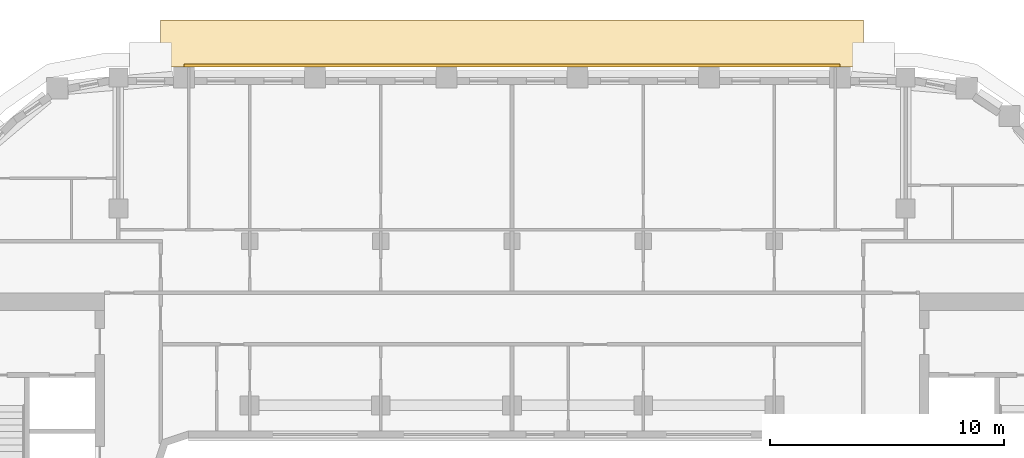
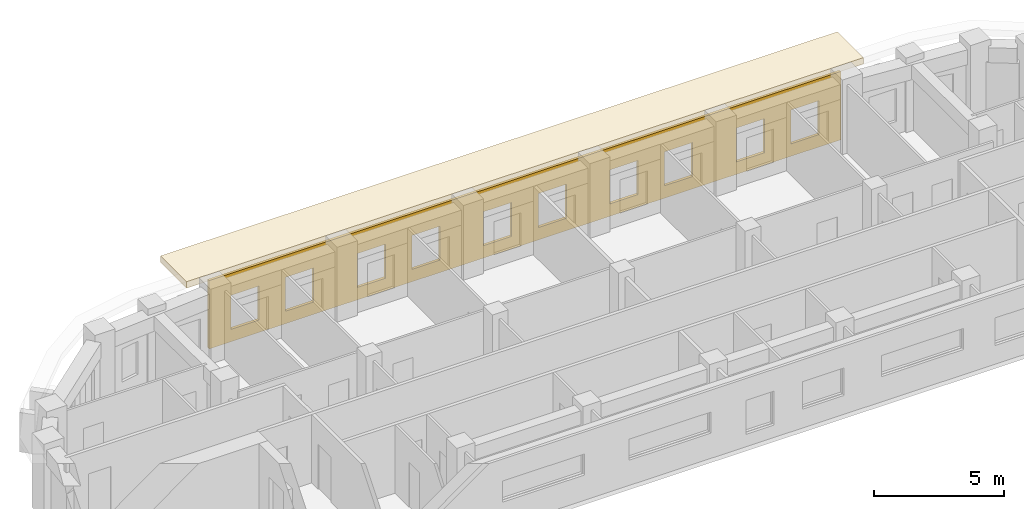
# One storey, part 20 of 21: 2 coverings.
"""IFC4 building model written with IfcOpenShell, lengths in metres."""

from ifc_helpers import new_model, si_unit, direction, frame, origin, place, context, subcontext, project, spatial, polyline, outline, extrude, material, layer, layer_set, type_object, element, save


model = new_model("IFC4")

# Units and contexts
model_context = context("Model", 3, precision=1e-05, world=origin(), true_north=direction((0.0, 1.0)))
body_context = subcontext(model_context, "Body", "Model", "MODEL_VIEW")
ifc_project = project(units=[si_unit("LENGTHUNIT", "METRE"), si_unit("AREAUNIT", "SQUARE_METRE"), si_unit("VOLUMEUNIT", "CUBIC_METRE"), si_unit("PLANEANGLEUNIT", "RADIAN"), si_unit("MASSUNIT", "GRAM", prefix="KILO")], contexts=[model_context])

# Site, building, storey
site_placement = place(None, origin())
site = spatial("IfcSite", under=ifc_project, at=site_placement, CompositionType="ELEMENT")
building_placement = place(site_placement, origin())
building = spatial("IfcBuilding", under=site, at=building_placement, Name="Kiln Ring Residences", CompositionType="ELEMENT")
storey_placement = place(building_placement, frame((0.0, 0.0, 199.39990234375)))
storey = spatial("IfcBuildingStorey", under=building, at=storey_placement, Name="L51", CompositionType="ELEMENT", Elevation=199.39990234375)

# Coverings
ifc_material_1 = material(Name="Brick masonry, dark clay brick", Category="masonry")
ifc_layer_1 = layer(ifc_material_1, 0.1201171875)
ifc_layer_set_1 = layer_set([ifc_layer_1], Name="RAINSCREEN PANEL 120")
covering_type_1 = type_object("IfcCoveringType", Name="RAINSCREEN PANEL 120", PredefinedType="CLADDING", material=ifc_layer_set_1)
covering_1_placement = place(storey_placement, frame((14.0, 22.909912109375, 0.0), z_axis=(0.0, 0.0, 1.0), x_axis=(-1.0, 0.0, 0.0)))
element("IfcCovering", 1, at=covering_1_placement, inside=storey, type_object=covering_type_1, Name="RAINSCREEN L51", PredefinedType="CLADDING", context=body_context, shape_type="SweptSolid", body=[
    extrude(outline(polyline([(0.0, 0.0), (28.0, 0.0), (28.0, 3.2001953125), (0.0, 3.2001953125), (0.0, 0.0)]), holes=[polyline([(0.967529296875, 0.580078125), (2.20751953125, 0.580078125), (2.20751953125, 2.170166015625), (0.967529296875, 2.170166015625), (0.967529296875, 0.580078125)]), polyline([(3.392578125, 0.580078125), (4.632568359375, 0.580078125), (4.632568359375, 2.170166015625), (3.392578125, 2.170166015625), (3.392578125, 0.580078125)]), polyline([(6.5673828125, 0.580078125), (7.8076171875, 0.580078125), (7.8076171875, 2.170166015625), (6.5673828125, 2.170166015625), (6.5673828125, 0.580078125)]), polyline([(8.992431640625, 2.170166015625), (8.992431640625, 0.580078125), (10.232421875, 0.580078125), (10.232421875, 2.170166015625), (8.992431640625, 2.170166015625)]), polyline([(12.16748046875, 2.170166015625), (12.16748046875, 0.580078125), (13.407470703125, 0.580078125), (13.407470703125, 2.170166015625), (12.16748046875, 2.170166015625)]), polyline([(14.592529296875, 0.580078125), (15.83251953125, 0.580078125), (15.83251953125, 2.170166015625), (14.592529296875, 2.170166015625), (14.592529296875, 0.580078125)]), polyline([(17.767578125, 0.580078125), (19.007568359375, 0.580078125), (19.007568359375, 2.170166015625), (17.767578125, 2.170166015625), (17.767578125, 0.580078125)]), polyline([(20.1923828125, 0.580078125), (21.4326171875, 0.580078125), (21.4326171875, 2.170166015625), (20.1923828125, 2.170166015625), (20.1923828125, 0.580078125)]), polyline([(23.367431640625, 2.170166015625), (23.367431640625, 0.580078125), (24.607421875, 0.580078125), (24.607421875, 2.170166015625), (23.367431640625, 2.170166015625)]), polyline([(25.79248046875, 2.170166015625), (25.79248046875, 0.580078125), (27.032470703125, 0.580078125), (27.032470703125, 2.170166015625), (25.79248046875, 2.170166015625)])]), frame((0.0, 0.06005859375, 0.0), z_axis=(0.0, -1.0, 0.0), x_axis=(1.0, 0.0, 0.0)), (0.0, 0.0, 1.0), 0.1201171875),
])
ifc_material_2 = material(Name="Black powder-coated steel", Category="steel")
ifc_layer_2 = layer(ifc_material_2, 0.300048828125)
ifc_layer_set_2 = layer_set([ifc_layer_2], Name="SUNSHADE BAND 2000")
covering_type_2 = type_object("IfcCoveringType", Name="SUNSHADE BAND 2000", PredefinedType="CLADDING", material=ifc_layer_set_2)
covering_2_placement = place(storey_placement, frame((0.0, 0.0, 3.2001953125)))
element("IfcCovering", 2, at=covering_2_placement, inside=storey, type_object=covering_type_2, Name="SUNSHADE BAND L51", PredefinedType="CLADDING", context=body_context, shape_type="SweptSolid", body=[
    extrude(outline(polyline([(15.0, 24.85009765625), (-15.0, 24.85009765625), (-15.0, 22.85009765625), (15.0, 22.85009765625), (15.0, 24.85009765625)])), origin(), (0.0, 0.0, 1.0), 0.2998046875),
])

save(model, "model.ifc")
